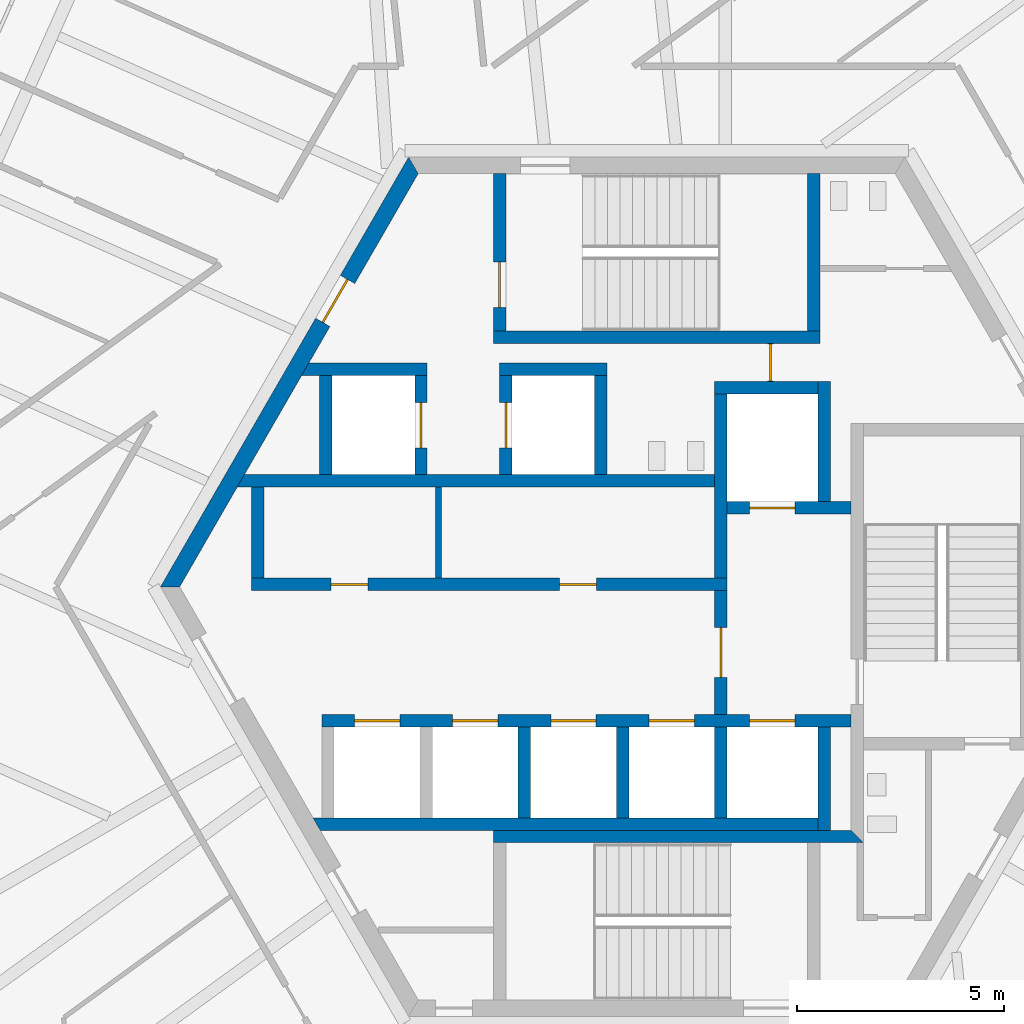
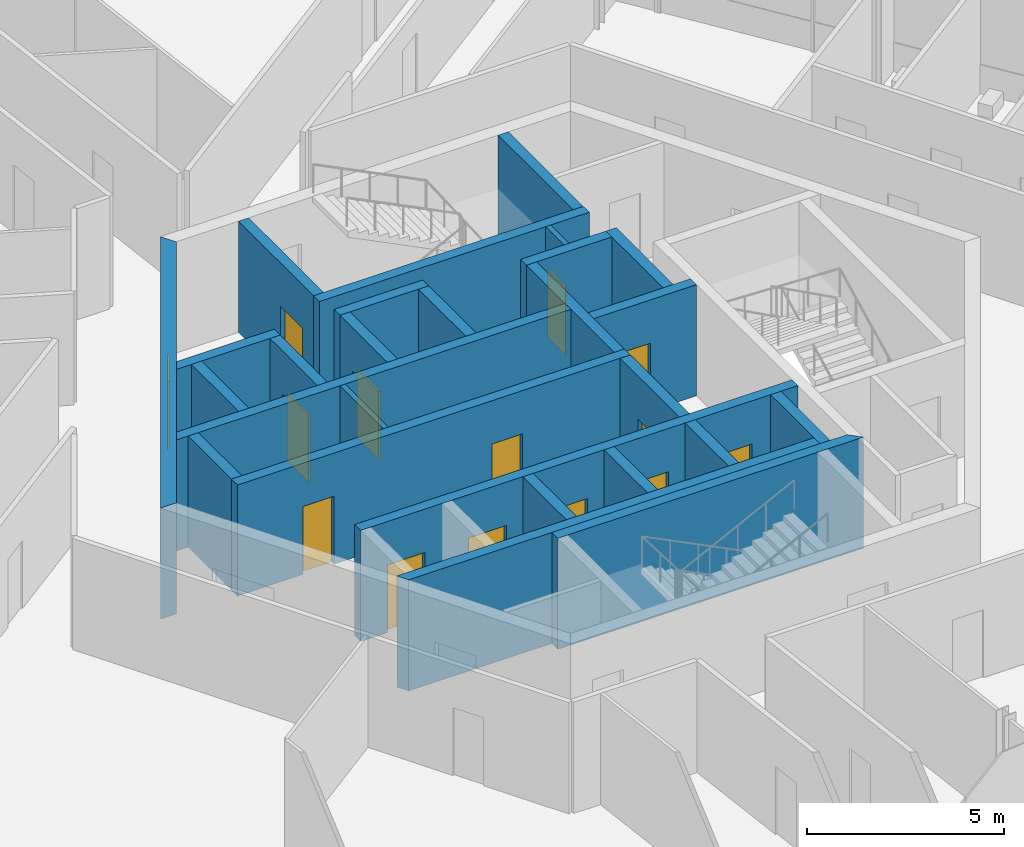
# One storey, part 12 of 21: 27 walls, 14 doors, 14 openings.
"""IFC4 building model written with IfcOpenShell, lengths in metres."""

from ifc_helpers import new_model, si_unit, direction, frame, frame_2d, origin, place, context, subcontext, project, spatial, polyline, rectangle, outline, extrude, source, transform, mapped, material, layer, layer_set, type_object, element, fill, save


model = new_model("IFC4")

# Units and contexts
model_context = context("Model", 3, precision=1e-05, world=origin(), true_north=direction((0.0, 1.0)))
body_context = subcontext(model_context, "Body", "Model", "MODEL_VIEW")
ifc_project = project(units=[si_unit("LENGTHUNIT", "METRE"), si_unit("AREAUNIT", "SQUARE_METRE"), si_unit("VOLUMEUNIT", "CUBIC_METRE"), si_unit("PLANEANGLEUNIT", "RADIAN"), si_unit("MASSUNIT", "GRAM", prefix="KILO")], contexts=[model_context])

# Site, building, storey
site_placement = place(None, origin())
site = spatial("IfcSite", under=ifc_project, at=site_placement, CompositionType="ELEMENT")
building_placement = place(site_placement, origin())
building = spatial("IfcBuilding", under=site, at=building_placement, Name="Triune Harvest Tower", CompositionType="ELEMENT")
storey_placement = place(building_placement, frame((0.0, 0.0, 241.300048828125)))
storey = spatial("IfcBuildingStorey", under=building, at=storey_placement, Name="L63", CompositionType="ELEMENT", Elevation=241.300048828125)

# Wall, opening, door
ifc_material_1 = material(Name="Concrete 70 MPa", Category="concrete")
ifc_layer_1 = layer(ifc_material_1, 0.39990234375)
ifc_layer_set_1 = layer_set([ifc_layer_1], Name="Concrete 70 MPa")
wall_type_1 = type_object("IfcWallType", Name="Core wall 400", PredefinedType="SHEAR", material=ifc_layer_set_1)
shared_shape_1 = source(origin(), body_context, "Body", "SweptSolid", [
    extrude(outline(polyline([(-0.115478515625, -0.199951171875), (11.884521484375, -0.199951171875), (11.653564453125, 0.199951171875), (0.115478515625, 0.199951171875), (-0.115478515625, -0.199951171875)])), origin(), (0.0, 0.0, 1.0), 3.43994140625),
])
wall_1_placement = place(storey_placement, frame((-5.884521484375, 10.1923828125, 0.0), z_axis=(0.0, 0.0, 1.0), x_axis=(-0.499996592174, -0.866027371285, 0.0)))
wall_1 = element("IfcWall", 1, at=wall_1_placement, inside=storey, type_object=wall_type_1, Name="Hexagon 2 wall", PredefinedType="SHEAR", context=body_context, shape_type="MappedRepresentation", body=[
    mapped(shared_shape_1, transform((0.0, 0.0, 0.0), scale=1.0)),
])
opening_1_placement = place(wall_1_placement, frame((3.1845703125, 0.0, 0.0)))
opening_1 = element("IfcOpeningElement", 2, at=opening_1_placement, cuts=wall_1, Name="Opening CD-SVP", PredefinedType="OPENING", context=body_context, shape_type="SweptSolid", body=[
    extrude(rectangle(XDim=1.199951171875, YDim=2.10009765625, at=frame_2d((0.60009765625, 1.050048828125))), frame((0.0, 0.2099609375, 0.0), z_axis=(0.0, -1.0, 0.0), x_axis=(1.0, 0.0, 0.0)), (0.0, 0.0, 1.0), 0.419921875),
])
ifc_material_2 = material(Name="Steel S235", Category="steel")
door_type_1 = type_object("IfcDoorType", Name="Service door 1200 FD120", OperationType="SINGLE_SWING_LEFT", PredefinedType="DOOR", material=ifc_material_2)
door_1_placement = place(opening_1_placement, frame((1.199951171875, 0.0, 0.0), z_axis=(0.0, 0.0, 1.0), x_axis=(-1.0, 0.0, 0.0)))
door_1 = element("IfcDoor", 3, at=door_1_placement, inside=storey, type_object=door_type_1, Name="Door CD-SVP", OperationType="SINGLE_SWING_RIGHT", OverallHeight=2.10009765625, OverallWidth=1.199951171875, PredefinedType="DOOR", context=body_context, shape_type="SweptSolid", body=[
    extrude(rectangle(XDim=1.199951171875, YDim=2.10009765625, at=frame_2d((0.60009765625, 1.050048828125))), frame((0.0, 0.02490234375, 0.0), z_axis=(0.0, -1.0, 0.0), x_axis=(1.0, 0.0, 0.0)), (0.0, 0.0, 1.0), 0.050048828125),
])
fill(opening_1, door_1)

# Wall, openings, doors
ifc_material_3 = material(Name="Concrete 70 MPa", Category="concrete")
ifc_layer_2 = layer(ifc_material_3, 0.300048828125)
ifc_layer_set_2 = layer_set([ifc_layer_2], Name="Concrete 70 MPa")
wall_type_2 = type_object("IfcWallType", Name="Core wall 300", PredefinedType="SHEAR", material=ifc_layer_set_2)
shared_shape_2 = source(origin(), body_context, "Body", "SweptSolid", [
    extrude(rectangle(XDim=11.5, YDim=0.300048828125, at=frame_2d((5.75, 0.0))), origin(), (0.0, 0.0, 1.0), 3.43994140625),
])
wall_2_placement = place(storey_placement, frame((-9.800048828125, 0.06005859375, 0.0), z_axis=(0.0, 0.0, 1.0), x_axis=(1.0, 0.0, 0.0)))
wall_2 = element("IfcWall", 4, at=wall_2_placement, inside=storey, type_object=wall_type_2, Name="North front wall", PredefinedType="SHEAR", context=body_context, shape_type="MappedRepresentation", body=[
    mapped(shared_shape_2, transform((0.0, 0.0, 0.0), scale=1.0)),
])
opening_2_placement = place(wall_2_placement, frame((1.922607421875, 0.0, 0.0)))
opening_2 = element("IfcOpeningElement", 5, at=opening_2_placement, cuts=wall_2, Name="Opening CD-RN1", PredefinedType="OPENING", context=body_context, shape_type="SweptSolid", body=[
    extrude(rectangle(XDim=0.89990234375, YDim=2.10009765625, at=frame_2d((0.449951171875, 1.050048828125))), frame((0.0, 0.16015625, 0.0), z_axis=(0.0, -1.0, 0.0), x_axis=(1.0, 0.0, 0.0)), (0.0, 0.0, 1.0), 0.320068359375),
])
opening_3_placement = place(wall_2_placement, frame((7.447509765625, 0.0, 0.0)))
opening_3 = element("IfcOpeningElement", 6, at=opening_3_placement, cuts=wall_2, Name="Opening CD-RN2", PredefinedType="OPENING", context=body_context, shape_type="SweptSolid", body=[
    extrude(rectangle(XDim=0.89990234375, YDim=2.10009765625, at=frame_2d((0.449951171875, 1.050048828125))), frame((0.0, 0.16015625, 0.0), z_axis=(0.0, -1.0, 0.0), x_axis=(1.0, 0.0, 0.0)), (0.0, 0.0, 1.0), 0.320068359375),
])
ifc_material_4 = material(Name="Steel S235", Category="steel")
door_type_2 = type_object("IfcDoorType", Name="Riser door 900 FD120", OperationType="SINGLE_SWING_LEFT", PredefinedType="DOOR", material=ifc_material_4)
door_2_placement = place(opening_2_placement, frame((0.89990234375, 0.0, 0.0), z_axis=(0.0, 0.0, 1.0), x_axis=(-1.0, 0.0, 0.0)))
door_2 = element("IfcDoor", 7, at=door_2_placement, inside=storey, type_object=door_type_2, Name="Door CD-RN1", OperationType="SINGLE_SWING_RIGHT", OverallHeight=2.10009765625, OverallWidth=0.89990234375, PredefinedType="DOOR", context=body_context, shape_type="SweptSolid", body=[
    extrude(rectangle(XDim=0.89990234375, YDim=2.10009765625, at=frame_2d((0.449951171875, 1.050048828125))), frame((0.0, 0.02490234375, 0.0), z_axis=(0.0, -1.0, 0.0), x_axis=(1.0, 0.0, 0.0)), (0.0, 0.0, 1.0), 0.050048828125),
])
fill(opening_2, door_2)
door_3_placement = place(opening_3_placement, frame((0.89990234375, 0.0, 0.0), z_axis=(0.0, 0.0, 1.0), x_axis=(-1.0, 0.0, 0.0)))
door_3 = element("IfcDoor", 8, at=door_3_placement, inside=storey, type_object=door_type_2, Name="Door CD-RN2", OperationType="SINGLE_SWING_RIGHT", OverallHeight=2.10009765625, OverallWidth=0.89990234375, PredefinedType="DOOR", context=body_context, shape_type="SweptSolid", body=[
    extrude(rectangle(XDim=0.89990234375, YDim=2.10009765625, at=frame_2d((0.449951171875, 1.050048828125))), frame((0.0, 0.02490234375, 0.0), z_axis=(0.0, -1.0, 0.0), x_axis=(1.0, 0.0, 0.0)), (0.0, 0.0, 1.0), 0.050048828125),
])
fill(opening_3, door_3)

# Walls
shared_shape_3 = source(origin(), body_context, "Body", "SweptSolid", [
    extrude(outline(polyline([(11.199951171875, -0.14990234375), (-0.34912109375, -0.14990234375), (-0.17578125, 0.14990234375), (11.199951171875, 0.14990234375), (11.199951171875, -0.14990234375)])), origin(), (0.0, 0.0, 1.0), 3.43994140625),
])
wall_3_placement = place(storey_placement, frame((-9.800048828125, 2.56005859375, 0.0), z_axis=(0.0, 0.0, 1.0), x_axis=(1.0, 0.0, 0.0)))
element("IfcWall", 9, at=wall_3_placement, inside=storey, type_object=wall_type_2, Name="North back wall", PredefinedType="SHEAR", context=body_context, shape_type="MappedRepresentation", body=[
    mapped(shared_shape_3, transform((0.0, 0.0, 0.0), scale=1.0)),
])
shared_shape_4 = source(origin(), body_context, "Body", "SweptSolid", [
    extrude(rectangle(XDim=2.5, YDim=0.300048828125, at=frame_2d((1.25, 0.0))), origin(), (0.0, 0.0, 1.0), 3.43994140625),
])
for number, where, z_axis, x_axis, name in (
    (10, (1.39990234375, 4.81005859375, 0.0), (0.0, 0.0, 1.0), (1.0, 0.0, 0.0), "Ff1 back wall"),
    (11, (4.050048828125, -5.889892578125, 0.0), (0.0, 0.0, 1.0), (0.0, 1.0, 0.0), "Ff2 east wall"),
):
    element("IfcWall", number, at=place(storey_placement, frame(where, z_axis=z_axis, x_axis=x_axis)), inside=storey, type_object=wall_type_2, Name=name, PredefinedType="SHEAR", context=body_context, shape_type="MappedRepresentation", body=[
        mapped(shared_shape_4, transform((0.0, 0.0, 0.0), scale=1.0)),
    ])
shared_shape_5 = source(origin(), body_context, "Body", "SweptSolid", [
    extrude(rectangle(XDim=4.449951171875, YDim=0.300048828125, at=frame_2d((2.22509765625, 0.0))), origin(), (0.0, 0.0, 1.0), 3.43994140625),
])
wall_4_placement = place(storey_placement, frame((1.550048828125, 0.2099609375, 0.0), z_axis=(0.0, 0.0, 1.0), x_axis=(0.0, 1.0, 0.0)))
element("IfcWall", 12, at=wall_4_placement, inside=storey, type_object=wall_type_2, Name="Ff1 west wall", PredefinedType="SHEAR", context=body_context, shape_type="MappedRepresentation", body=[
    mapped(shared_shape_5, transform((0.0, 0.0, 0.0), scale=1.0)),
])

# Wall, opening, door
shared_shape_6 = source(origin(), body_context, "Body", "SweptSolid", [
    extrude(rectangle(XDim=3.0, YDim=0.300048828125, at=frame_2d((1.5, 0.0))), origin(), (0.0, 0.0, 1.0), 3.43994140625),
])
wall_5_placement = place(storey_placement, frame((1.699951171875, 1.909912109375, 0.0), z_axis=(0.0, 0.0, 1.0), x_axis=(1.0, 0.0, 0.0)))
wall_5 = element("IfcWall", 13, at=wall_5_placement, inside=storey, type_object=wall_type_2, Name="Ff1 front wall", PredefinedType="SHEAR", context=body_context, shape_type="MappedRepresentation", body=[
    mapped(shared_shape_6, transform((0.0, 0.0, 0.0), scale=1.0)),
])
opening_4_placement = place(wall_5_placement, frame((0.550048828125, 0.0, 0.0)))
opening_4 = element("IfcOpeningElement", 14, at=opening_4_placement, cuts=wall_5, Name="Opening LD-FF1-63", PredefinedType="OPENING", context=body_context, shape_type="SweptSolid", body=[
    extrude(rectangle(XDim=1.10009765625, YDim=2.10009765625, at=frame_2d((0.550048828125, 1.050048828125))), frame((0.0, 0.16015625, 0.0), z_axis=(0.0, -1.0, 0.0), x_axis=(1.0, 0.0, 0.0)), (0.0, 0.0, 1.0), 0.320068359375),
])
ifc_material_5 = material(Name="Stainless steel AISI 304", Category="steel")
door_type_3 = type_object("IfcDoorType", Name="Landing door 1100 x 2100", OperationType="DOUBLE_DOOR_SLIDING", PredefinedType="DOOR", material=ifc_material_5)
door_4_placement = place(opening_4_placement, origin())
door_4 = element("IfcDoor", 15, at=door_4_placement, inside=storey, type_object=door_type_3, Name="Door LD-FF1-63", OperationType="DOUBLE_DOOR_SLIDING", OverallHeight=2.10009765625, OverallWidth=1.10009765625, PredefinedType="DOOR", context=body_context, shape_type="SweptSolid", body=[
    extrude(rectangle(XDim=1.10009765625, YDim=2.10009765625, at=frame_2d((0.550048828125, 1.050048828125))), frame((0.0, 0.02490234375, 0.0), z_axis=(0.0, -1.0, 0.0), x_axis=(1.0, 0.0, 0.0)), (0.0, 0.0, 1.0), 0.050048828125),
])
fill(opening_4, door_4)

wall_6_placement = place(storey_placement, frame((1.550048828125, -3.090087890625, 0.0), z_axis=(0.0, 0.0, 1.0), x_axis=(0.0, 1.0, 0.0)))
wall_6 = element("IfcWall", 16, at=wall_6_placement, inside=storey, type_object=wall_type_2, Name="Ff lobby west wall", PredefinedType="SHEAR", context=body_context, shape_type="MappedRepresentation", body=[
    mapped(shared_shape_6, transform((0.0, 0.0, 0.0), scale=1.0)),
])
opening_5_placement = place(wall_6_placement, frame((0.89990234375, 0.0, 0.0)))
opening_5 = element("IfcOpeningElement", 17, at=opening_5_placement, cuts=wall_6, Name="Opening CD-FL", PredefinedType="OPENING", context=body_context, shape_type="SweptSolid", body=[
    extrude(rectangle(XDim=1.199951171875, YDim=2.10009765625, at=frame_2d((0.60009765625, 1.050048828125))), frame((0.0, 0.16015625, 0.0), z_axis=(0.0, -1.0, 0.0), x_axis=(1.0, 0.0, 0.0)), (0.0, 0.0, 1.0), 0.320068359375),
])
ifc_material_6 = material(Name="Steel S235", Category="steel")
door_type_4 = type_object("IfcDoorType", Name="Firefighters' lobby door 1200 FD120", OperationType="SINGLE_SWING_LEFT", PredefinedType="DOOR", material=ifc_material_6)
door_5_placement = place(opening_5_placement, frame((1.199951171875, 0.0, 0.0), z_axis=(0.0, 0.0, 1.0), x_axis=(-1.0, 0.0, 0.0)))
door_5 = element("IfcDoor", 18, at=door_5_placement, inside=storey, type_object=door_type_4, Name="Door CD-FL", OperationType="SINGLE_SWING_RIGHT", OverallHeight=2.10009765625, OverallWidth=1.199951171875, PredefinedType="DOOR", context=body_context, shape_type="SweptSolid", body=[
    extrude(rectangle(XDim=1.199951171875, YDim=2.10009765625, at=frame_2d((0.60009765625, 1.050048828125))), frame((0.0, 0.02490234375, 0.0), z_axis=(0.0, -1.0, 0.0), x_axis=(1.0, 0.0, 0.0)), (0.0, 0.0, 1.0), 0.050048828125),
])
fill(opening_5, door_5)

# Wall
shared_shape_7 = source(origin(), body_context, "Body", "SweptSolid", [
    extrude(rectangle(XDim=2.89990234375, YDim=0.300048828125, at=frame_2d((1.449951171875, 0.0))), origin(), (0.0, 0.0, 1.0), 3.43994140625),
])
wall_7_placement = place(storey_placement, frame((4.050048828125, 2.06005859375, 0.0), z_axis=(0.0, 0.0, 1.0), x_axis=(0.0, 1.0, 0.0)))
element("IfcWall", 19, at=wall_7_placement, inside=storey, type_object=wall_type_2, Name="Ff1 east wall", PredefinedType="SHEAR", context=body_context, shape_type="MappedRepresentation", body=[
    mapped(shared_shape_7, transform((0.0, 0.0, 0.0), scale=1.0)),
])

# Wall, openings, doors
shared_shape_8 = source(origin(), body_context, "Body", "SweptSolid", [
    extrude(rectangle(XDim=12.800048828125, YDim=0.300048828125, at=frame_2d((6.39990234375, 0.0))), origin(), (0.0, 0.0, 1.0), 3.43994140625),
])
wall_8_placement = place(storey_placement, frame((-8.10009765625, -3.239990234375, 0.0), z_axis=(0.0, 0.0, 1.0), x_axis=(1.0, 0.0, 0.0)))
wall_8 = element("IfcWall", 20, at=wall_8_placement, inside=storey, type_object=wall_type_2, Name="South front wall", PredefinedType="SHEAR", context=body_context, shape_type="MappedRepresentation", body=[
    mapped(shared_shape_8, transform((0.0, 0.0, 0.0), scale=1.0)),
])
opening_6_placement = place(wall_8_placement, frame((0.78759765625, 0.0, 0.0)))
opening_6 = element("IfcOpeningElement", 21, at=opening_6_placement, cuts=wall_8, Name="Opening LD-HR1-63", PredefinedType="OPENING", context=body_context, shape_type="SweptSolid", body=[
    extrude(rectangle(XDim=1.10009765625, YDim=2.10009765625, at=frame_2d((0.550048828125, 1.050048828125))), frame((0.0, 0.16015625, 0.0), z_axis=(0.0, -1.0, 0.0), x_axis=(1.0, 0.0, 0.0)), (0.0, 0.0, 1.0), 0.320068359375),
])
opening_7_placement = place(wall_8_placement, frame((3.16259765625, 0.0, 0.0)))
opening_7 = element("IfcOpeningElement", 22, at=opening_7_placement, cuts=wall_8, Name="Opening LD-HR2-63", PredefinedType="OPENING", context=body_context, shape_type="SweptSolid", body=[
    extrude(rectangle(XDim=1.10009765625, YDim=2.10009765625, at=frame_2d((0.550048828125, 1.050048828125))), frame((0.0, 0.16015625, 0.0), z_axis=(0.0, -1.0, 0.0), x_axis=(1.0, 0.0, 0.0)), (0.0, 0.0, 1.0), 0.320068359375),
])
opening_8_placement = place(wall_8_placement, frame((5.53759765625, 0.0, 0.0)))
opening_8 = element("IfcOpeningElement", 23, at=opening_8_placement, cuts=wall_8, Name="Opening LD-HR3-63", PredefinedType="OPENING", context=body_context, shape_type="SweptSolid", body=[
    extrude(rectangle(XDim=1.10009765625, YDim=2.10009765625, at=frame_2d((0.550048828125, 1.050048828125))), frame((0.0, 0.16015625, 0.0), z_axis=(0.0, -1.0, 0.0), x_axis=(1.0, 0.0, 0.0)), (0.0, 0.0, 1.0), 0.320068359375),
])
opening_9_placement = place(wall_8_placement, frame((7.91259765625, 0.0, 0.0)))
opening_9 = element("IfcOpeningElement", 24, at=opening_9_placement, cuts=wall_8, Name="Opening LD-HR4-63", PredefinedType="OPENING", context=body_context, shape_type="SweptSolid", body=[
    extrude(rectangle(XDim=1.10009765625, YDim=2.10009765625, at=frame_2d((0.550048828125, 1.050048828125))), frame((0.0, 0.16015625, 0.0), z_axis=(0.0, -1.0, 0.0), x_axis=(1.0, 0.0, 0.0)), (0.0, 0.0, 1.0), 0.320068359375),
])
opening_10_placement = place(wall_8_placement, frame((10.35009765625, 0.0, 0.0)))
opening_10 = element("IfcOpeningElement", 25, at=opening_10_placement, cuts=wall_8, Name="Opening LD-FF2-63", PredefinedType="OPENING", context=body_context, shape_type="SweptSolid", body=[
    extrude(rectangle(XDim=1.10009765625, YDim=2.10009765625, at=frame_2d((0.550048828125, 1.050048828125))), frame((0.0, 0.16015625, 0.0), z_axis=(0.0, -1.0, 0.0), x_axis=(1.0, 0.0, 0.0)), (0.0, 0.0, 1.0), 0.320068359375),
])
door_6_placement = place(opening_6_placement, origin())
door_6 = element("IfcDoor", 26, at=door_6_placement, inside=storey, type_object=door_type_3, Name="Door LD-HR1-63", OperationType="DOUBLE_DOOR_SLIDING", OverallHeight=2.10009765625, OverallWidth=1.10009765625, PredefinedType="DOOR", context=body_context, shape_type="SweptSolid", body=[
    extrude(rectangle(XDim=1.10009765625, YDim=2.10009765625, at=frame_2d((0.550048828125, 1.050048828125))), frame((0.0, 0.02490234375, 0.0), z_axis=(0.0, -1.0, 0.0), x_axis=(1.0, 0.0, 0.0)), (0.0, 0.0, 1.0), 0.050048828125),
])
fill(opening_6, door_6)
door_7_placement = place(opening_7_placement, origin())
door_7 = element("IfcDoor", 27, at=door_7_placement, inside=storey, type_object=door_type_3, Name="Door LD-HR2-63", OperationType="DOUBLE_DOOR_SLIDING", OverallHeight=2.10009765625, OverallWidth=1.10009765625, PredefinedType="DOOR", context=body_context, shape_type="SweptSolid", body=[
    extrude(rectangle(XDim=1.10009765625, YDim=2.10009765625, at=frame_2d((0.550048828125, 1.050048828125))), frame((0.0, 0.02490234375, 0.0), z_axis=(0.0, -1.0, 0.0), x_axis=(1.0, 0.0, 0.0)), (0.0, 0.0, 1.0), 0.050048828125),
])
fill(opening_7, door_7)
door_8_placement = place(opening_8_placement, origin())
door_8 = element("IfcDoor", 28, at=door_8_placement, inside=storey, type_object=door_type_3, Name="Door LD-HR3-63", OperationType="DOUBLE_DOOR_SLIDING", OverallHeight=2.10009765625, OverallWidth=1.10009765625, PredefinedType="DOOR", context=body_context, shape_type="SweptSolid", body=[
    extrude(rectangle(XDim=1.10009765625, YDim=2.10009765625, at=frame_2d((0.550048828125, 1.050048828125))), frame((0.0, 0.02490234375, 0.0), z_axis=(0.0, -1.0, 0.0), x_axis=(1.0, 0.0, 0.0)), (0.0, 0.0, 1.0), 0.050048828125),
])
fill(opening_8, door_8)
door_9_placement = place(opening_9_placement, origin())
door_9 = element("IfcDoor", 29, at=door_9_placement, inside=storey, type_object=door_type_3, Name="Door LD-HR4-63", OperationType="DOUBLE_DOOR_SLIDING", OverallHeight=2.10009765625, OverallWidth=1.10009765625, PredefinedType="DOOR", context=body_context, shape_type="SweptSolid", body=[
    extrude(rectangle(XDim=1.10009765625, YDim=2.10009765625, at=frame_2d((0.550048828125, 1.050048828125))), frame((0.0, 0.02490234375, 0.0), z_axis=(0.0, -1.0, 0.0), x_axis=(1.0, 0.0, 0.0)), (0.0, 0.0, 1.0), 0.050048828125),
])
fill(opening_9, door_9)
door_10_placement = place(opening_10_placement, origin())
door_10 = element("IfcDoor", 30, at=door_10_placement, inside=storey, type_object=door_type_3, Name="Door LD-FF2-63", OperationType="DOUBLE_DOOR_SLIDING", OverallHeight=2.10009765625, OverallWidth=1.10009765625, PredefinedType="DOOR", context=body_context, shape_type="SweptSolid", body=[
    extrude(rectangle(XDim=1.10009765625, YDim=2.10009765625, at=frame_2d((0.550048828125, 1.050048828125))), frame((0.0, 0.02490234375, 0.0), z_axis=(0.0, -1.0, 0.0), x_axis=(1.0, 0.0, 0.0)), (0.0, 0.0, 1.0), 0.050048828125),
])
fill(opening_10, door_10)

# Walls
shared_shape_9 = source(origin(), body_context, "Body", "SweptSolid", [
    extrude(outline(polyline([(12.0, -0.14990234375), (-0.039794921875, -0.14990234375), (-0.212890625, 0.14990234375), (12.0, 0.14990234375), (12.0, -0.14990234375)])), origin(), (0.0, 0.0, 1.0), 3.43994140625),
])
wall_9_placement = place(storey_placement, frame((-8.10009765625, -5.739990234375, 0.0), z_axis=(0.0, 0.0, 1.0), x_axis=(1.0, 0.0, 0.0)))
element("IfcWall", 31, at=wall_9_placement, inside=storey, type_object=wall_type_2, Name="South back wall", PredefinedType="SHEAR", context=body_context, shape_type="MappedRepresentation", body=[
    mapped(shared_shape_9, transform((0.0, 0.0, 0.0), scale=1.0)),
])
shared_shape_10 = source(origin(), body_context, "Body", "SweptSolid", [
    extrude(rectangle(XDim=2.2001953125, YDim=0.300048828125, at=frame_2d((1.10009765625, 0.0))), origin(), (0.0, 0.0, 1.0), 3.43994140625),
])
for number, where, z_axis, x_axis, name in (
    (32, (1.550048828125, -5.590087890625, 0.0), (0.0, 0.0, 1.0), (0.0, 1.0, 0.0), "Ff2 west wall"),
    (33, (-3.199951171875, -5.590087890625, 0.0), (0.0, 0.0, 1.0), (0.0, 1.0, 0.0), "South cross 2 wall"),
    (34, (-0.824951171875, -5.590087890625, 0.0), (0.0, 0.0, 1.0), (0.0, 1.0, 0.0), "South cross 3 wall"),
):
    element("IfcWall", number, at=place(storey_placement, frame(where, z_axis=z_axis, x_axis=x_axis)), inside=storey, type_object=wall_type_2, Name=name, PredefinedType="SHEAR", context=body_context, shape_type="MappedRepresentation", body=[
        mapped(shared_shape_10, transform((0.0, 0.0, 0.0), scale=1.0)),
    ])
shared_shape_11 = source(origin(), body_context, "Body", "SweptSolid", [
    extrude(rectangle(XDim=2.199951171875, YDim=0.300048828125, at=frame_2d((1.10009765625, 0.0))), origin(), (0.0, 0.0, 1.0), 3.43994140625),
])
wall_10_placement = place(storey_placement, frame((-9.64990234375, 0.2099609375, 0.0), z_axis=(0.0, 0.0, 1.0), x_axis=(0.0, 1.0, 0.0)))
element("IfcWall", 35, at=wall_10_placement, inside=storey, type_object=wall_type_2, Name="North end west wall", PredefinedType="SHEAR", context=body_context, shape_type="MappedRepresentation", body=[
    mapped(shared_shape_11, transform((0.0, 0.0, 0.0), scale=1.0)),
])
shared_shape_12 = source(origin(), body_context, "Body", "SweptSolid", [
    extrude(rectangle(XDim=7.89990234375, YDim=0.300048828125, at=frame_2d((3.949951171875, 0.0))), origin(), (0.0, 0.0, 1.0), 3.43994140625),
])
wall_11_placement = place(storey_placement, frame((-3.949951171875, 6.0400390625, 0.0), z_axis=(0.0, 0.0, 1.0), x_axis=(1.0, 0.0, 0.0)))
element("IfcWall", 36, at=wall_11_placement, inside=storey, type_object=wall_type_2, Name="Stair n south wall", PredefinedType="SHEAR", context=body_context, shape_type="MappedRepresentation", body=[
    mapped(shared_shape_12, transform((0.0, 0.0, 0.0), scale=1.0)),
])

# Wall, opening, door
shared_shape_13 = source(origin(), body_context, "Body", "SweptSolid", [
    extrude(outline(polyline([(0.0, -0.14990234375), (0.0, 0.14990234375), (3.80419921875, 0.14990234375), (3.80419921875, -0.14990234375), (0.0, -0.14990234375)])), origin(), (0.0, 0.0, 1.0), 3.43994140625),
])
wall_12_placement = place(storey_placement, frame((-3.800048828125, 6.18994140625, 0.0), z_axis=(0.0, 0.0, 1.0), x_axis=(0.0, 1.0, 0.0)))
wall_12 = element("IfcWall", 37, at=wall_12_placement, inside=storey, type_object=wall_type_2, Name="Stair n west wall", PredefinedType="SHEAR", context=body_context, shape_type="MappedRepresentation", body=[
    mapped(shared_shape_13, transform((0.0, 0.0, 0.0), scale=1.0)),
])
opening_11_placement = place(wall_12_placement, frame((0.56005859375, 0.0, 0.0)))
opening_11 = element("IfcOpeningElement", 38, at=opening_11_placement, cuts=wall_12, Name="Opening CD-S1L", PredefinedType="OPENING", context=body_context, shape_type="SweptSolid", body=[
    extrude(rectangle(XDim=1.10009765625, YDim=2.10009765625, at=frame_2d((0.550048828125, 1.050048828125))), frame((0.0, 0.16015625, 0.0), z_axis=(0.0, -1.0, 0.0), x_axis=(1.0, 0.0, 0.0)), (0.0, 0.0, 1.0), 0.320068359375),
])
ifc_material_7 = material(Name="Steel S235", Category="steel")
door_type_5 = type_object("IfcDoorType", Name="Stair door 1100 FD120", OperationType="SINGLE_SWING_LEFT", PredefinedType="DOOR", material=ifc_material_7)
door_11_placement = place(opening_11_placement, frame((1.10009765625, 0.0, 0.0), z_axis=(0.0, 0.0, 1.0), x_axis=(-1.0, 0.0, 0.0)))
door_11 = element("IfcDoor", 39, at=door_11_placement, inside=storey, type_object=door_type_5, Name="Door CD-S1L", OperationType="SINGLE_SWING_RIGHT", OverallHeight=2.10009765625, OverallWidth=1.10009765625, PredefinedType="DOOR", context=body_context, shape_type="SweptSolid", body=[
    extrude(rectangle(XDim=1.10009765625, YDim=2.10009765625, at=frame_2d((0.550048828125, 1.050048828125))), frame((0.0, 0.02490234375, 0.0), z_axis=(0.0, -1.0, 0.0), x_axis=(1.0, 0.0, 0.0)), (0.0, 0.0, 1.0), 0.050048828125),
])
fill(opening_11, door_11)

# Walls
wall_13_placement = place(storey_placement, frame((3.800048828125, 6.18994140625, 0.0), z_axis=(0.0, 0.0, 1.0), x_axis=(0.0, 1.0, 0.0)))
element("IfcWall", 40, at=wall_13_placement, inside=storey, type_object=wall_type_2, Name="Stair n east wall", PredefinedType="SHEAR", context=body_context, shape_type="MappedRepresentation", body=[
    mapped(shared_shape_13, transform((0.0, 0.0, 0.0), scale=1.0)),
])
shared_shape_14 = source(origin(), body_context, "Body", "SweptSolid", [
    extrude(outline(polyline([(0.0, -0.14990234375), (8.949951171875, -0.14990234375), (8.64990234375, 0.14990234375), (0.0, 0.14990234375), (0.0, -0.14990234375)])), origin(), (0.0, 0.0, 1.0), 3.43994140625),
])
wall_14_placement = place(storey_placement, frame((-3.949951171875, -6.0400390625, 0.0), z_axis=(0.0, 0.0, 1.0), x_axis=(1.0, 0.0, 0.0)))
element("IfcWall", 41, at=wall_14_placement, inside=storey, type_object=wall_type_2, Name="Stair s north wall", PredefinedType="SHEAR", context=body_context, shape_type="MappedRepresentation", body=[
    mapped(shared_shape_14, transform((0.0, 0.0, 0.0), scale=1.0)),
])
shared_shape_15 = source(origin(), body_context, "Body", "SweptSolid", [
    extrude(outline(polyline([(2.60009765625, -0.14990234375), (-0.440185546875, -0.14990234375), (-0.26708984375, 0.14990234375), (2.60009765625, 0.14990234375), (2.60009765625, -0.14990234375)])), origin(), (0.0, 0.0, 1.0), 3.43994140625),
])
wall_15_placement = place(storey_placement, frame((-8.14990234375, 5.260009765625, 0.0), z_axis=(0.0, 0.0, 1.0), x_axis=(1.0, 0.0, 0.0)))
element("IfcWall", 42, at=wall_15_placement, inside=storey, type_object=wall_type_2, Name="Sv1 north wall", PredefinedType="SHEAR", context=body_context, shape_type="MappedRepresentation", body=[
    mapped(shared_shape_15, transform((0.0, 0.0, 0.0), scale=1.0)),
])
shared_shape_16 = source(origin(), body_context, "Body", "SweptSolid", [
    extrude(rectangle(XDim=2.400146484375, YDim=0.300048828125, at=frame_2d((1.2001953125, 0.0))), origin(), (0.0, 0.0, 1.0), 3.43994140625),
])
wall_16_placement = place(storey_placement, frame((-8.0, 2.7099609375, 0.0), z_axis=(0.0, 0.0, 1.0), x_axis=(0.0, 1.0, 0.0)))
element("IfcWall", 43, at=wall_16_placement, inside=storey, type_object=wall_type_2, Name="Sv1 west wall", PredefinedType="SHEAR", context=body_context, shape_type="MappedRepresentation", body=[
    mapped(shared_shape_16, transform((0.0, 0.0, 0.0), scale=1.0)),
])

# Wall, opening, door
wall_17_placement = place(storey_placement, frame((-5.699951171875, 2.7099609375, 0.0), z_axis=(0.0, 0.0, 1.0), x_axis=(0.0, 1.0, 0.0)))
wall_17 = element("IfcWall", 44, at=wall_17_placement, inside=storey, type_object=wall_type_2, Name="Sv1 east wall", PredefinedType="SHEAR", context=body_context, shape_type="MappedRepresentation", body=[
    mapped(shared_shape_16, transform((0.0, 0.0, 0.0), scale=1.0)),
])
opening_12_placement = place(wall_17_placement, frame((0.64990234375, 0.0, 0.0)))
opening_12 = element("IfcOpeningElement", 45, at=opening_12_placement, cuts=wall_17, Name="Opening LD-SV1-63", PredefinedType="OPENING", context=body_context, shape_type="SweptSolid", body=[
    extrude(rectangle(XDim=1.10009765625, YDim=2.10009765625, at=frame_2d((0.550048828125, 1.050048828125))), frame((0.0, 0.16015625, 0.0), z_axis=(0.0, -1.0, 0.0), x_axis=(1.0, 0.0, 0.0)), (0.0, 0.0, 1.0), 0.320068359375),
])
door_12_placement = place(opening_12_placement, origin())
door_12 = element("IfcDoor", 46, at=door_12_placement, inside=storey, type_object=door_type_3, Name="Door LD-SV1-63", OperationType="DOUBLE_DOOR_SLIDING", OverallHeight=2.10009765625, OverallWidth=1.10009765625, PredefinedType="DOOR", context=body_context, shape_type="SweptSolid", body=[
    extrude(rectangle(XDim=1.10009765625, YDim=2.10009765625, at=frame_2d((0.550048828125, 1.050048828125))), frame((0.0, 0.02490234375, 0.0), z_axis=(0.0, -1.0, 0.0), x_axis=(1.0, 0.0, 0.0)), (0.0, 0.0, 1.0), 0.050048828125),
])
fill(opening_12, door_12)

wall_18_placement = place(storey_placement, frame((-3.64990234375, 2.7099609375, 0.0), z_axis=(0.0, 0.0, 1.0), x_axis=(0.0, 1.0, 0.0)))
wall_18 = element("IfcWall", 47, at=wall_18_placement, inside=storey, type_object=wall_type_2, Name="Sv2 west wall", PredefinedType="SHEAR", context=body_context, shape_type="MappedRepresentation", body=[
    mapped(shared_shape_16, transform((0.0, 0.0, 0.0), scale=1.0)),
])
opening_13_placement = place(wall_18_placement, frame((0.64990234375, 0.0, 0.0)))
opening_13 = element("IfcOpeningElement", 48, at=opening_13_placement, cuts=wall_18, Name="Opening LD-SV2-63", PredefinedType="OPENING", context=body_context, shape_type="SweptSolid", body=[
    extrude(rectangle(XDim=1.10009765625, YDim=2.10009765625, at=frame_2d((0.550048828125, 1.050048828125))), frame((0.0, 0.16015625, 0.0), z_axis=(0.0, -1.0, 0.0), x_axis=(1.0, 0.0, 0.0)), (0.0, 0.0, 1.0), 0.320068359375),
])
door_13_placement = place(opening_13_placement, origin())
door_13 = element("IfcDoor", 49, at=door_13_placement, inside=storey, type_object=door_type_3, Name="Door LD-SV2-63", OperationType="DOUBLE_DOOR_SLIDING", OverallHeight=2.10009765625, OverallWidth=1.10009765625, PredefinedType="DOOR", context=body_context, shape_type="SweptSolid", body=[
    extrude(rectangle(XDim=1.10009765625, YDim=2.10009765625, at=frame_2d((0.550048828125, 1.050048828125))), frame((0.0, 0.02490234375, 0.0), z_axis=(0.0, -1.0, 0.0), x_axis=(1.0, 0.0, 0.0)), (0.0, 0.0, 1.0), 0.050048828125),
])
fill(opening_13, door_13)

# Walls
wall_19_placement = place(storey_placement, frame((-1.35009765625, 2.7099609375, 0.0), z_axis=(0.0, 0.0, 1.0), x_axis=(0.0, 1.0, 0.0)))
element("IfcWall", 50, at=wall_19_placement, inside=storey, type_object=wall_type_2, Name="Sv2 east wall", PredefinedType="SHEAR", context=body_context, shape_type="MappedRepresentation", body=[
    mapped(shared_shape_16, transform((0.0, 0.0, 0.0), scale=1.0)),
])
shared_shape_17 = source(origin(), body_context, "Body", "SweptSolid", [
    extrude(rectangle(XDim=2.60009765625, YDim=0.300048828125, at=frame_2d((1.300048828125, 0.0))), origin(), (0.0, 0.0, 1.0), 3.43994140625),
])
wall_20_placement = place(storey_placement, frame((-3.800048828125, 5.260009765625, 0.0), z_axis=(0.0, 0.0, 1.0), x_axis=(1.0, 0.0, 0.0)))
element("IfcWall", 51, at=wall_20_placement, inside=storey, type_object=wall_type_2, Name="Sv2 north wall", PredefinedType="SHEAR", context=body_context, shape_type="MappedRepresentation", body=[
    mapped(shared_shape_17, transform((0.0, 0.0, 0.0), scale=1.0)),
])

# Wall, opening, door
ifc_material_8 = material(Name="Concrete masonry unit", Category="masonry")
ifc_layer_3 = layer(ifc_material_8, 0.14990234375)
ifc_layer_set_3 = layer_set([ifc_layer_3], Name="Concrete masonry unit")
wall_type_3 = type_object("IfcWallType", Name="Block partition 150 unrated", PredefinedType="PARTITIONING", material=ifc_layer_set_3)
shared_shape_18 = source(origin(), body_context, "Body", "SweptSolid", [
    extrude(rectangle(XDim=0.929931640625, YDim=0.14990234375, at=frame_2d((0.46484375, 0.0))), origin(), (0.0, 0.0, 1.0), 3.43994140625),
])
wall_21_placement = place(storey_placement, frame((2.75, 4.9599609375, 0.0), z_axis=(0.0, 0.0, 1.0), x_axis=(0.0, 1.0, 0.0)))
wall_21 = element("IfcWall", 52, at=wall_21_placement, inside=storey, type_object=wall_type_3, Name="Wc men east b wall", PredefinedType="PARTITIONING", context=body_context, shape_type="MappedRepresentation", body=[
    mapped(shared_shape_18, transform((0.0, 0.0, 0.0), scale=1.0)),
])
opening_14_placement = place(wall_21_placement, frame((0.014892578125, 0.0, 0.0)))
opening_14 = element("IfcOpeningElement", 53, at=opening_14_placement, cuts=wall_21, Name="Opening CD-WM", PredefinedType="OPENING", context=body_context, shape_type="SweptSolid", body=[
    extrude(rectangle(XDim=0.89990234375, YDim=2.10009765625, at=frame_2d((0.449951171875, 1.050048828125))), frame((0.0, 0.0849609375, 0.0), z_axis=(0.0, -1.0, 0.0), x_axis=(1.0, 0.0, 0.0)), (0.0, 0.0, 1.0), 0.169921875),
])
ifc_material_9 = material(Name="Timber C24", Category="wood")
door_type_6 = type_object("IfcDoorType", Name="WC door 900", OperationType="SINGLE_SWING_LEFT", PredefinedType="DOOR", material=ifc_material_9)
door_14_placement = place(opening_14_placement, origin())
door_14 = element("IfcDoor", 54, at=door_14_placement, inside=storey, type_object=door_type_6, Name="Door CD-WM", OperationType="SINGLE_SWING_LEFT", OverallHeight=2.10009765625, OverallWidth=0.89990234375, PredefinedType="DOOR", context=body_context, shape_type="SweptSolid", body=[
    extrude(rectangle(XDim=0.89990234375, YDim=2.10009765625, at=frame_2d((0.449951171875, 1.050048828125))), frame((0.0, 0.02490234375, 0.0), z_axis=(0.0, -1.0, 0.0), x_axis=(1.0, 0.0, 0.0)), (0.0, 0.0, 1.0), 0.050048828125),
])
fill(opening_14, door_14)

# Wall
ifc_material_10 = material(Name="Concrete masonry unit", Category="masonry")
ifc_layer_4 = layer(ifc_material_10, 0.14990234375)
ifc_layer_set_4 = layer_set([ifc_layer_4], Name="Concrete masonry unit")
wall_type_4 = type_object("IfcWallType", Name="Block partition 150", PredefinedType="PARTITIONING", material=ifc_layer_set_4)
shared_shape_19 = source(origin(), body_context, "Body", "SweptSolid", [
    extrude(rectangle(XDim=2.199951171875, YDim=0.14990234375, at=frame_2d((1.10009765625, 0.0))), origin(), (0.0, 0.0, 1.0), 3.43994140625),
])
wall_22_placement = place(storey_placement, frame((-5.280029296875, 0.2099609375, 0.0), z_axis=(0.0, 0.0, 1.0), x_axis=(0.0, 1.0, 0.0)))
element("IfcWall", 55, at=wall_22_placement, inside=storey, type_object=wall_type_4, Name="Row n part 1 wall", PredefinedType="PARTITIONING", context=body_context, shape_type="MappedRepresentation", body=[
    mapped(shared_shape_19, transform((0.0, 0.0, 0.0), scale=1.0)),
])

save(model, "model.ifc")
